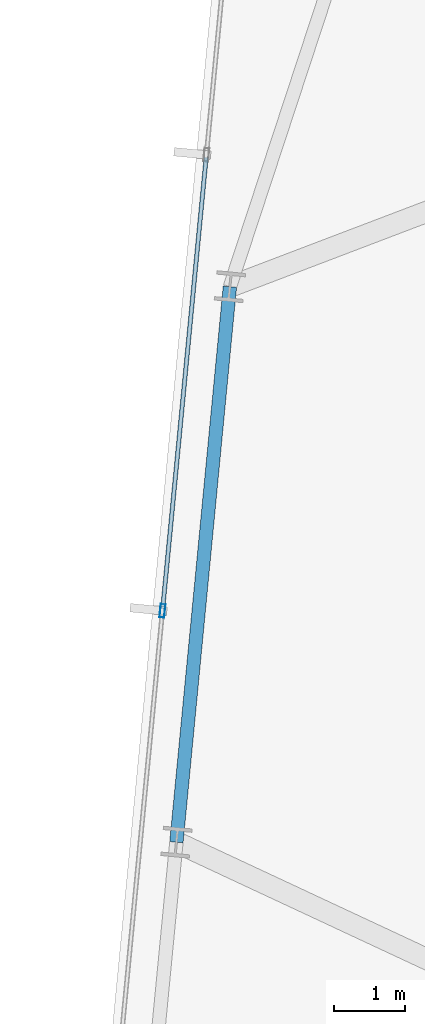
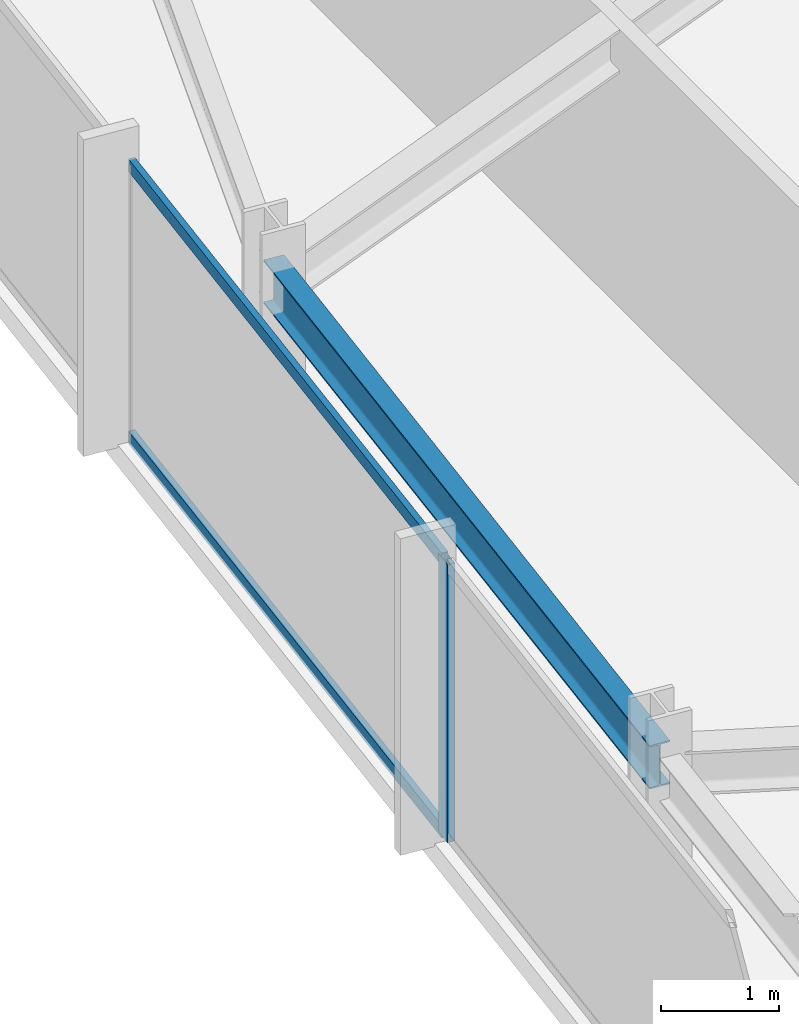
# One storey, part 10 of 37: 3 members, 1 beam, 1 element without a shape of its own.
"""IFC4 building model written with IfcOpenShell, lengths in metres."""

from ifc_helpers import new_model, si_unit, direction, frame, origin, origin_2d, place, context, subcontext, project, spatial, hollow_rectangle, i_section, extrude, material, material_profile, profile_set, type_object, element, aggregate, save


model = new_model("IFC4")

# Units and contexts
model_context = context("Model", 3, precision=1e-05, world=origin(), true_north=direction((0.0, 1.0)))
body_context = subcontext(model_context, "Body", "Model", "MODEL_VIEW")
ifc_project = project(units=[si_unit("LENGTHUNIT", "METRE"), si_unit("AREAUNIT", "SQUARE_METRE"), si_unit("VOLUMEUNIT", "CUBIC_METRE"), si_unit("PLANEANGLEUNIT", "RADIAN"), si_unit("MASSUNIT", "GRAM", prefix="KILO")], contexts=[model_context])

# Site, building, storey
site_placement = place(None, origin())
site = spatial("IfcSite", under=ifc_project, at=site_placement, CompositionType="ELEMENT")
building_placement = place(site_placement, origin())
building = spatial("IfcBuilding", under=site, at=building_placement, Name="Yelkora Congress Tower", CompositionType="ELEMENT")
storey_placement = place(building_placement, frame((0.0, 0.0, 188.60009765625)))
storey = spatial("IfcBuildingStorey", under=building, at=storey_placement, Name="L52", CompositionType="ELEMENT", Elevation=188.60009765625)

# Beam
ifc_material_1 = material(Name="Steel S355J2", Category="steel")
ifc_material_profile_1 = material_profile(ifc_material_1, i_section(OverallWidth=0.18994140625, OverallDepth=0.449951171875, WebThickness=0.009521484375, FlangeThickness=0.0146484375, FilletRadius=0.02099609375, at=origin_2d()), Name="IPE 450")
ifc_profile_set_1 = profile_set([ifc_material_profile_1], Name="Steel S355J2")
beam_type = type_object("IfcBeamType", Name="BM-SPAN-IPE450", PredefinedType="SPANDREL", material=ifc_profile_set_1)
beam_placement = place(storey_placement, frame((4.121826171875, 40.4580078125, 2.65478515625), z_axis=(-0.095864922257, -0.995394352345, 0.0), x_axis=(0.995394352345, -0.095864922257, 0.0)))
element("IfcBeam", 1, at=beam_placement, inside=storey, type_object=beam_type, Name="L52 Perimeter Beam 17", PredefinedType="SPANDREL", context=body_context, shape_type="SweptSolid", body=[
    extrude(i_section(OverallWidth=0.18994140625, OverallDepth=0.449951171875, WebThickness=0.009521484375, FlangeThickness=0.0146484375, FilletRadius=0.02099609375, at=origin_2d()), origin(), (0.0, 0.0, 1.0), 7.89990234375),
])

# Curtain wall, members
ifc_material_2 = material(Name="Anodised aluminium and insulated glass", Category="aluminium")
curtain_wall_type = type_object("IfcCurtainWallType", Name="CW-SYS-B3", PredefinedType="NOTDEFINED", material=ifc_material_2)
curtain_wall_placement = place(storey_placement, origin())
curtain_wall = element("IfcCurtainWall", 2, at=curtain_wall_placement, inside=storey, type_object=curtain_wall_type, Name="L52 Unitised Curtain Wall 5", PredefinedType="NOTDEFINED")
ifc_material_3 = material(Name="Anodised aluminium 6063-T6", Category="aluminium")
ifc_material_profile_2 = material_profile(ifc_material_3, hollow_rectangle(XDim=0.070068359375, YDim=0.18994140625, WallThickness=0.00390625, at=origin_2d()), Name="ALU 70x190x4")
ifc_profile_set_2 = profile_set([ifc_material_profile_2], Name="Anodised aluminium 6063-T6")
member_type_1 = type_object("IfcMemberType", Name="MEM-ML-B3", PredefinedType="MULLION", material=ifc_profile_set_2)
member_1_placement = place(storey_placement, frame((3.167724609375, 35.870361328125, 0.0), z_axis=(0.0, 0.0, 1.0), x_axis=(-0.995396242473, 0.095845294465, 0.0)))
member_1 = element("IfcMember", 3, at=member_1_placement, type_object=member_type_1, Name="CW-B3 mullion 4", PredefinedType="MULLION", context=body_context, shape_type="SweptSolid", body=[
    extrude(hollow_rectangle(XDim=0.070068359375, YDim=0.18994140625, WallThickness=0.00390625, at=origin_2d()), origin(), (0.0, 0.0, 1.0), 2.8798828125),
])
ifc_material_profile_3 = material_profile(ifc_material_3, hollow_rectangle(XDim=0.06005859375, YDim=0.1298828125, WallThickness=0.00390625, at=origin_2d()), Name="ALU 60x130x4")
ifc_profile_set_3 = profile_set([ifc_material_profile_3], Name="Anodised aluminium 6063-T6")
member_type_2 = type_object("IfcMemberType", Name="MEM-TR-B3", PredefinedType="USERDEFINED", material=ifc_profile_set_3)
member_2_placement = place(storey_placement, frame((3.171142578125, 35.9052734375, 0.02978515625), z_axis=(0.095847313538, 0.995396048057, 0.0), x_axis=(-0.995396048057, 0.095847313538, 0.0)))
member_2 = element("IfcMember", 4, at=member_2_placement, type_object=member_type_2, Name="CW-B3 transom 4.1", ObjectType="TRANSOM", PredefinedType="USERDEFINED", context=body_context, shape_type="SweptSolid", body=[
    extrude(hollow_rectangle(XDim=0.06005859375, YDim=0.1298828125, WallThickness=0.00390625, at=origin_2d()), origin(), (0.0, 0.0, 1.0), 6.413818359375),
])
member_3_placement = place(storey_placement, frame((3.171142578125, 35.9052734375, 2.849853515625), z_axis=(0.095847313538, 0.995396048057, 0.0), x_axis=(-0.995396048057, 0.095847313538, 0.0)))
member_3 = element("IfcMember", 5, at=member_3_placement, type_object=member_type_2, Name="CW-B3 transom 4.2", ObjectType="TRANSOM", PredefinedType="USERDEFINED", context=body_context, shape_type="SweptSolid", body=[
    extrude(hollow_rectangle(XDim=0.06005859375, YDim=0.1298828125, WallThickness=0.00390625, at=origin_2d()), origin(), (0.0, 0.0, 1.0), 6.413818359375),
])
aggregate(curtain_wall, [member_1, member_2, member_3])

save(model, "model.ifc")
